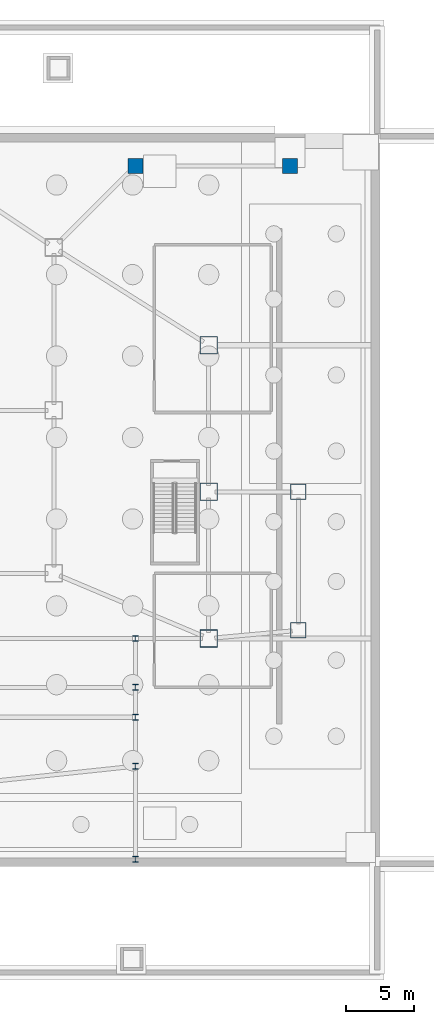
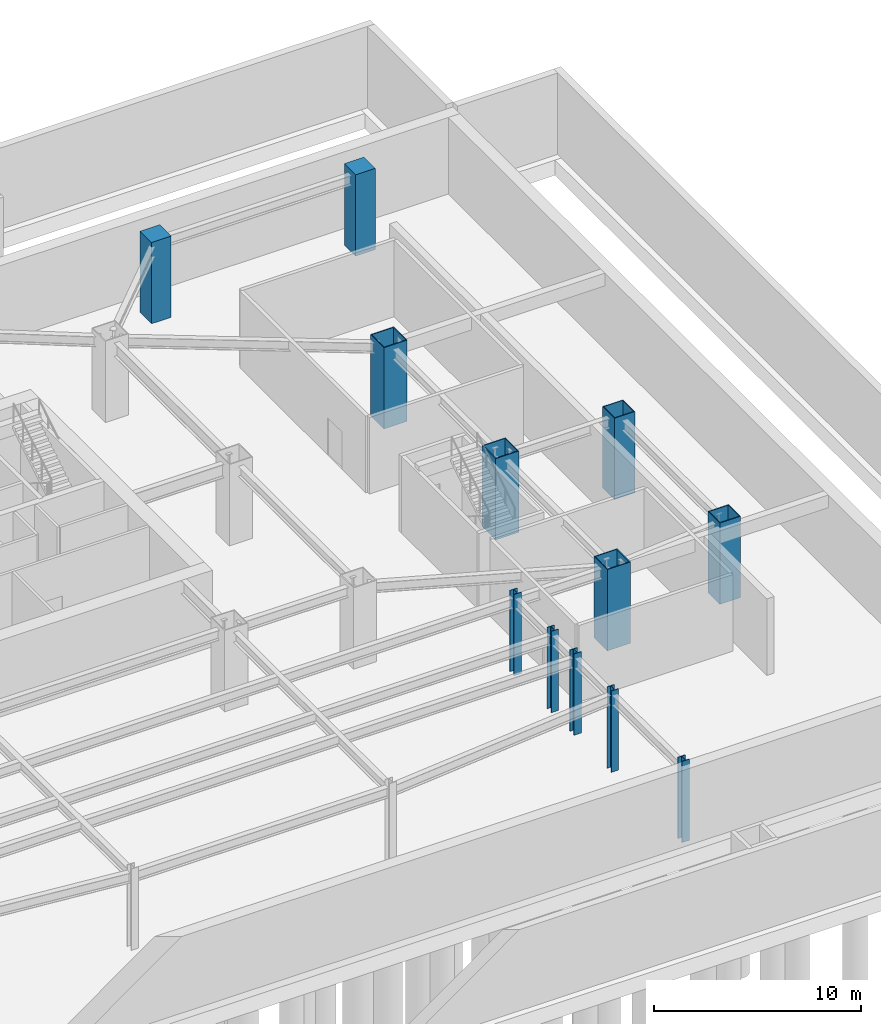
# One storey, part 4 of 15: 12 columns.
"""IFC4 building model written with IfcOpenShell, lengths in metres."""

import ifcopenshell
import ifcopenshell.guid

model = None  # the IFC model being written
_history = None  # IfcOwnerHistory: only IFC2X3 demands one
_inside = {}  # id of a spatial element -> (the spatial element, [elements in it])
_under = {}  # id of a project, library or spatial element -> (it, [spatial elements below it])
_declared = {}  # id of a project -> (the project, [libraries it declares])
_typed = {}  # id of a type object -> (the type object, [elements of that type])
_made_of = {}  # id of a material, layer set ... -> (it, [elements and type objects made of it])


def new_model(schema):
    """Start an empty IFC model of exactly this schema.

    Asked for "IFC4X3", IfcOpenShell would pick the latest addendum, in which some entities
    have other attributes; the version numbers below select the first issue.
    IFC2X3 requires an IfcOwnerHistory on every rooted entity: one is made here for all.
    """
    global model, _history
    if schema == "IFC4X3":
        model = ifcopenshell.file(schema_version=(4, 3, 0, 0))
    else:
        model = ifcopenshell.file(schema=schema)
    _inside.clear()
    _under.clear()
    _declared.clear()
    _typed.clear()
    _made_of.clear()
    _history = None
    if model.schema == "IFC2X3":
        org = make("IfcOrganization", Name="unknown")
        user = make(
            "IfcPersonAndOrganization",
            ThePerson=make("IfcPerson", FamilyName="unknown"),
            TheOrganization=org,
        )
        app = make(
            "IfcApplication",
            ApplicationDeveloper=org,
            Version="unknown",
            ApplicationFullName="unknown",
            ApplicationIdentifier="unknown",
        )
        _history = make(
            "IfcOwnerHistory",
            OwningUser=user,
            OwningApplication=app,
            ChangeAction="ADDED",
            CreationDate=0,
        )
    return model


def make(cls, **values):
    """One entity of the class cls with the attributes given. An attribute that is None is left unset."""
    return model.create_entity(
        cls, **{name: value for name, value in values.items() if value is not None}
    )


def rooted(cls, **values):
    """An entity with a GlobalId (a new one), such as an element, a storey or a relation."""
    return make(cls, GlobalId=ifcopenshell.guid.new(), OwnerHistory=_history, **values)


def si_unit(unit_type, name, prefix=None):
    """IfcSIUnit, for example si_unit("LENGTHUNIT", "METRE", prefix="MILLI")."""
    return make("IfcSIUnit", UnitType=unit_type, Prefix=prefix, Name=name)


def assignment(units):
    """IfcUnitAssignment: the units of a project."""
    return None if units is None else make("IfcUnitAssignment", Units=units)


def point(xyz):
    """IfcCartesianPoint."""
    return None if xyz is None else make("IfcCartesianPoint", Coordinates=xyz)


def direction(xyz):
    """IfcDirection."""
    return None if xyz is None else make("IfcDirection", DirectionRatios=xyz)


def frame(location, z_axis=None, x_axis=None):
    """IfcAxis2Placement3D, a coordinate frame: its origin and axes. An axis left out is left unset."""
    return make(
        "IfcAxis2Placement3D",
        Location=point(location),
        Axis=direction(z_axis),
        RefDirection=direction(x_axis),
    )


def frame_2d(location, x_axis=None):
    """IfcAxis2Placement2D, a coordinate frame in the plane: its origin and x axis."""
    return make(
        "IfcAxis2Placement2D", Location=point(location), RefDirection=direction(x_axis)
    )


def origin():
    """The frame at (0, 0, 0) with its axes left unset."""
    return frame((0.0, 0.0, 0.0))


def origin_2d():
    """The frame at (0, 0) in the plane with its x axis left unset."""
    return frame_2d((0.0, 0.0))


def place(relative_to, where):
    """IfcLocalPlacement: puts the frame where relative to a parent placement (None: the world)."""
    return make(
        "IfcLocalPlacement", PlacementRelTo=relative_to, RelativePlacement=where
    )


def context(
    kind, dimensions, precision=None, world=None, true_north=None, identifier=None
):
    """IfcGeometricRepresentationContext, for example the 3D "Model" context."""
    return make(
        "IfcGeometricRepresentationContext",
        ContextIdentifier=identifier,
        ContextType=kind,
        CoordinateSpaceDimension=dimensions,
        Precision=precision,
        WorldCoordinateSystem=world,
        TrueNorth=true_north,
    )


def subcontext(parent, identifier, kind, view, scale=None):
    """IfcGeometricRepresentationSubContext, for example "Body" below "Model"."""
    return make(
        "IfcGeometricRepresentationSubContext",
        ContextIdentifier=identifier,
        ContextType=kind,
        ParentContext=parent,
        TargetScale=scale,
        TargetView=view,
    )


def project(units=None, contexts=None):
    """IfcProject with its units and contexts."""
    return rooted(
        "IfcProject",
        Name="project",
        RepresentationContexts=contexts,
        UnitsInContext=assignment(units),
    )


def spatial(cls, under=None, at=None, **own):
    """A site, building, storey or space (cls), placed at a placement, below another one or the project."""
    s = rooted(cls, ObjectPlacement=at, **own)
    if under is not None:
        _under.setdefault(under.id(), (under, []))[1].append(s)
    return s


def profile(cls, at=None, kind="AREA", **sizes):
    """A parametric profile (cls). Its sizes go by their IFC names, for example OverallWidth=200.0."""
    return make(cls, ProfileType=kind, Position=at, **sizes)


def rectangle(**sizes):
    """IfcRectangleProfileDef."""
    return profile("IfcRectangleProfileDef", **sizes)


def hollow_rectangle(**sizes):
    """IfcRectangleHollowProfileDef."""
    return profile("IfcRectangleHollowProfileDef", **sizes)


def i_section(**sizes):
    """IfcIShapeProfileDef."""
    return profile("IfcIShapeProfileDef", **sizes)


def extrude(swept, where, along, depth):
    """IfcExtrudedAreaSolid: the profile swept, set in the frame where, extruded along a direction by depth."""
    return make(
        "IfcExtrudedAreaSolid",
        SweptArea=swept,
        Position=where,
        ExtrudedDirection=direction(along),
        Depth=depth,
    )


def shape(context_of_items, identifier, shape_type, items):
    """IfcShapeRepresentation: the items that make up one representation, for example the "Body"."""
    return make(
        "IfcShapeRepresentation",
        ContextOfItems=context_of_items,
        RepresentationIdentifier=identifier,
        RepresentationType=shape_type,
        Items=items,
    )


def material(Name=None, Category=None):
    """IfcMaterial."""
    return make("IfcMaterial", Name=Name, Category=Category)


def material_profile(
    of_material, cross_section, Name=None, Category=None, Priority=None
):
    """IfcMaterialProfile: a cross section and its material."""
    return make(
        "IfcMaterialProfile",
        Name=Name,
        Material=of_material,
        Profile=cross_section,
        Priority=Priority,
        Category=Category,
    )


def profile_set(profiles, Name=None, composite=None):
    """IfcMaterialProfileSet."""
    return make(
        "IfcMaterialProfileSet",
        Name=Name,
        MaterialProfiles=profiles,
        CompositeProfile=composite,
    )


def made_of(thing, what):
    """Note that an element or type object is made of a material, layer set ...; save() writes the relation."""
    if what is not None:
        _made_of.setdefault(what.id(), (what, []))[1].append(thing)
    return thing


def type_object(cls, material=None, **own):
    """A type object (cls), such as IfcWallType, which elements share."""
    return made_of(rooted(cls, **own), material)


def element(
    cls,
    number,
    at=None,
    inside=None,
    cuts=None,
    type_object=None,
    material=None,
    context=None,
    identifier="Body",
    shape_type=None,
    held_by="IfcProductDefinitionShape",
    body=None,
    shapes=None,
    **own,
):
    """One element of the class cls, such as IfcWall. Its Tag is "e" and its number.

    at: its placement. inside: the storey or other place that contains it. cuts: it is an
    opening in that element (IfcRelVoidsElement). A single representation is given by context,
    identifier, shape_type and body (its items); several are given by shapes. held_by: the class
    of the entity that holds the representations. save() writes the other relations.
    """
    e = rooted(cls, Tag="e%d" % number, ObjectPlacement=at, **own)
    if body is not None:
        shapes = [shape(context, identifier, shape_type, body)]
    if shapes is not None:
        e.Representation = make(held_by, Representations=shapes)
    if inside is not None:
        _inside.setdefault(inside.id(), (inside, []))[1].append(e)
    if cuts is not None:
        rooted(
            "IfcRelVoidsElement", RelatingBuildingElement=cuts, RelatedOpeningElement=e
        )
    if type_object is not None:
        _typed.setdefault(type_object.id(), (type_object, []))[1].append(e)
    return made_of(e, material)


def aggregate(whole, parts):
    """IfcRelAggregates: a whole, such as a stair, and the parts it consists of."""
    return rooted("IfcRelAggregates", RelatingObject=whole, RelatedObjects=parts)


def save(model, path):
    """Write the relations noted so far, then the file.

    IfcRelAggregates (storeys below a building ...), IfcRelContainedInSpatialStructure (elements
    in a storey), IfcRelDefinesByType, IfcRelAssociatesMaterial and IfcRelDeclares: one each for
    every whole, place, type object, material and project.
    """
    for whole, parts in _under.values():
        aggregate(whole, parts)
    for where, things in _inside.values():
        rooted(
            "IfcRelContainedInSpatialStructure",
            RelatedElements=things,
            RelatingStructure=where,
        )
    for kind, things in _typed.values():
        rooted("IfcRelDefinesByType", RelatedObjects=things, RelatingType=kind)
    for what, things in _made_of.values():
        rooted("IfcRelAssociatesMaterial", RelatedObjects=things, RelatingMaterial=what)
    for by, libraries in _declared.values():
        rooted("IfcRelDeclares", RelatingContext=by, RelatedDefinitions=libraries)
    model.write(path)


model = new_model("IFC4")

# Units and contexts
model_context = context("Model", 3, precision=1e-05, world=origin(), true_north=direction((0.0, 1.0)))
body_context = subcontext(model_context, "Body", "Model", "MODEL_VIEW")
ifc_project = project(units=[si_unit("LENGTHUNIT", "METRE"), si_unit("AREAUNIT", "SQUARE_METRE"), si_unit("VOLUMEUNIT", "CUBIC_METRE"), si_unit("PLANEANGLEUNIT", "RADIAN"), si_unit("MASSUNIT", "GRAM", prefix="KILO")], contexts=[model_context])

# Site, building, storey
site_placement = place(None, origin())
site = spatial("IfcSite", under=ifc_project, at=site_placement, CompositionType="ELEMENT")
building_placement = place(site_placement, origin())
building = spatial("IfcBuilding", under=site, at=building_placement, Name="Haolan Belvedere Tower", CompositionType="ELEMENT")
storey_placement = place(building_placement, frame((0.0, 0.0, -9.60009765625)))
storey = spatial("IfcBuildingStorey", under=building, at=storey_placement, Name="B2", CompositionType="ELEMENT", Elevation=-9.60009765625)

# Columns
ifc_material_1 = material(Name="Steel Q355B", Category="steel")
ifc_material_profile_1 = material_profile(ifc_material_1, hollow_rectangle(XDim=1.14990234375, YDim=1.14990234375, WallThickness=0.0419921875, at=origin_2d()), Name="Steel Q355B")
ifc_profile_set_1 = profile_set([ifc_material_profile_1], Name="Steel Q355B")
column_type_1 = type_object("IfcColumnType", Name="COL-BOX1150x1150x42", PredefinedType="COLUMN", material=ifc_profile_set_1)
for number, where, z_axis, x_axis, name in (
    (1, (70.800048828125, 17.39990234375, 0.0), (0.0, 0.0, 1.0), (1.0, 0.0, 0.0), "B2 column MC-T5-SE (BOX1150x1150x42)"),
    (2, (70.800048828125, 27.60009765625, 0.0), (0.0, 0.0, 1.0), (1.0, 0.0, 0.0), "B2 column MC-T5-NE (BOX1150x1150x42)"),
):
    element("IfcColumn", number, at=place(storey_placement, frame(where, z_axis=z_axis, x_axis=x_axis)), inside=storey, type_object=column_type_1, Name=name, PredefinedType="COLUMN", context=body_context, shape_type="SweptSolid", body=[
        extrude(hollow_rectangle(XDim=1.14990234375, YDim=1.14990234375, WallThickness=0.0419921875, at=origin_2d()), origin(), (0.0, 0.0, 1.0), 4.800048828125),
    ])
ifc_material_profile_2 = material_profile(ifc_material_1, hollow_rectangle(XDim=1.300048828125, YDim=1.300048828125, WallThickness=0.048095703125, at=origin_2d()), Name="Steel Q355B")
ifc_profile_set_2 = profile_set([ifc_material_profile_2], Name="Steel Q355B")
column_type_2 = type_object("IfcColumnType", Name="COL-BOX1300x1300x48", PredefinedType="COLUMN", material=ifc_profile_set_2)
for number, where, z_axis, x_axis, name in (
    (3, (64.199951171875, 16.800048828125, 0.0), (0.0, 0.0, 1.0), (1.0, 0.0, 0.0), "B2 column MC-T4-SE (BOX1300x1300x48)"),
    (4, (64.199951171875, 27.60009765625, 0.0), (0.0, 0.0, 1.0), (1.0, 0.0, 0.0), "B2 column MC-T4-ME (BOX1300x1300x48)"),
    (5, (64.199951171875, 38.39990234375, 0.0), (0.0, 0.0, 1.0), (1.0, 0.0, 0.0), "B2 column MC-T4-NE (BOX1300x1300x48)"),
):
    element("IfcColumn", number, at=place(storey_placement, frame(where, z_axis=z_axis, x_axis=x_axis)), inside=storey, type_object=column_type_2, Name=name, PredefinedType="COLUMN", context=body_context, shape_type="SweptSolid", body=[
        extrude(hollow_rectangle(XDim=1.300048828125, YDim=1.300048828125, WallThickness=0.048095703125, at=origin_2d()), origin(), (0.0, 0.0, 1.0), 4.800048828125),
    ])
ifc_material_2 = material(Name="Steel Q390GJC", Category="steel")
ifc_material_profile_3 = material_profile(ifc_material_2, i_section(OverallWidth=0.406982421875, OverallDepth=0.427978515625, WebThickness=0.02001953125, FlangeThickness=0.034912109375, FilletRadius=0.02197265625, at=origin_2d()), Name="Steel Q390GJC")
ifc_profile_set_3 = profile_set([ifc_material_profile_3], Name="Steel Q390GJC")
column_type_3 = type_object("IfcColumnType", Name="COL-HW428x407x20x35", PredefinedType="COLUMN", material=ifc_profile_set_3)
for number, where, z_axis, x_axis, name in (
    (6, (58.800048828125, 0.550048828125, 0.0), (0.0, 0.0, 1.0), (1.0, 0.0, 0.0), "B2 column PC-S0-E (HW428x407x20x35)"),
    (7, (58.800048828125, 7.39990234375, 0.0), (0.0, 0.0, 1.0), (1.0, 0.0, 0.0), "B2 column PC-SE-1 (HW428x407x20x35)"),
    (8, (58.800048828125, 11.0, 0.0), (0.0, 0.0, 1.0), (1.0, 0.0, 0.0), "B2 column PC-CS2-E (HW428x407x20x35)"),
    (9, (58.800048828125, 13.199951171875, 0.0), (0.0, 0.0, 1.0), (1.0, 0.0, 0.0), "B2 column PC-CS3-E (HW428x407x20x35)"),
    (10, (58.800048828125, 16.800048828125, 0.0), (0.0, 0.0, 1.0), (1.0, 0.0, 0.0), "B2 column PC-CS4-E (HW428x407x20x35)"),
):
    element("IfcColumn", number, at=place(storey_placement, frame(where, z_axis=z_axis, x_axis=x_axis)), inside=storey, type_object=column_type_3, Name=name, PredefinedType="COLUMN", context=body_context, shape_type="SweptSolid", body=[
        extrude(i_section(OverallWidth=0.406982421875, OverallDepth=0.427978515625, WebThickness=0.02001953125, FlangeThickness=0.034912109375, FilletRadius=0.02197265625, at=origin_2d()), origin(), (0.0, 0.0, 1.0), 4.800048828125),
    ])
ifc_material_3 = material(Name="Concrete C50/60", Category="concrete")
ifc_material_profile_4 = material_profile(ifc_material_3, rectangle(XDim=1.10009765625, YDim=1.10009765625, at=origin_2d()), Name="Concrete C50/60")
ifc_profile_set_4 = profile_set([ifc_material_profile_4], Name="Concrete C50/60")
column_type_4 = type_object("IfcColumnType", Name="COL-RC1100x1100", PredefinedType="COLUMN", material=ifc_profile_set_4)
for number, where, z_axis, x_axis, name in (
    (11, (58.800048828125, 51.60009765625, 0.0), (0.0, 0.0, 1.0), (1.0, 0.0, 0.0), "B2 column PC-NE-1 (RC1100x1100)"),
    (12, (70.199951171875, 51.60009765625, 0.0), (0.0, 0.0, 1.0), (1.0, 0.0, 0.0), "B2 column PC-NE-2 (RC1100x1100)"),
):
    element("IfcColumn", number, at=place(storey_placement, frame(where, z_axis=z_axis, x_axis=x_axis)), inside=storey, type_object=column_type_4, Name=name, PredefinedType="COLUMN", context=body_context, shape_type="SweptSolid", body=[
        extrude(rectangle(XDim=1.10009765625, YDim=1.10009765625, at=origin_2d()), origin(), (0.0, 0.0, 1.0), 4.800048828125),
    ])

save(model, "model.ifc")
